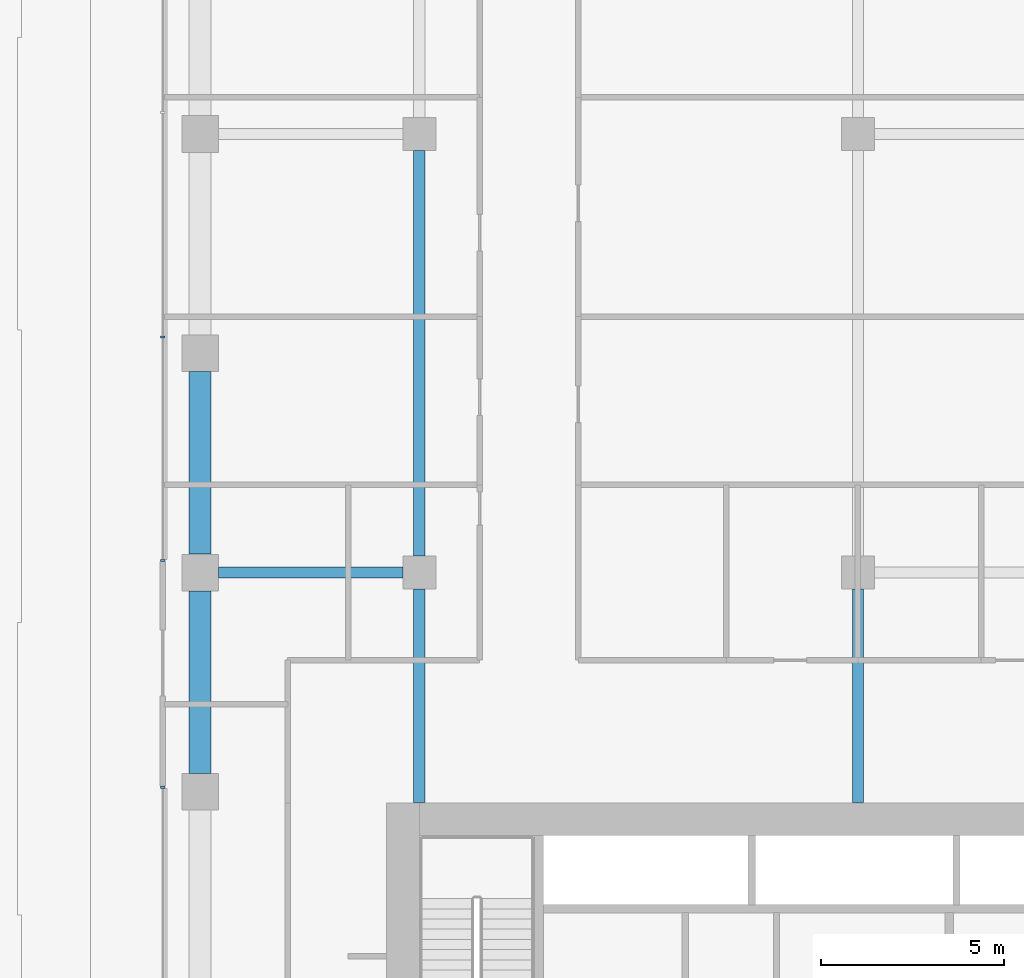
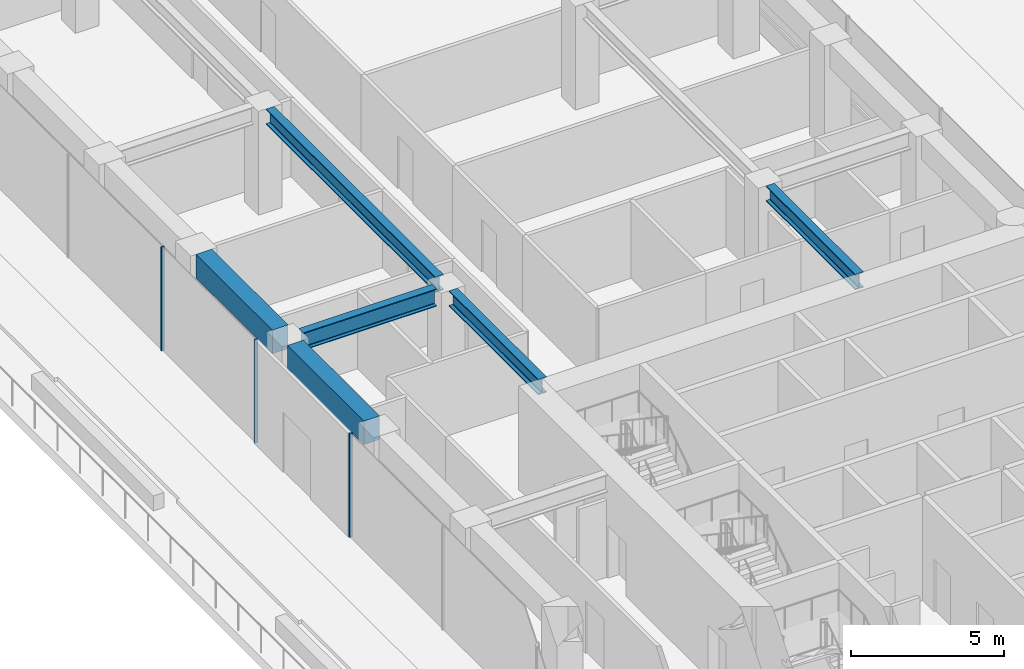
# One storey, part 11 of 31: 6 beams, 3 members, 2 elements without a shape of their own.
"""IFC4 building model written with IfcOpenShell, lengths in metres."""

import ifcopenshell
import ifcopenshell.guid

model = None  # the IFC model being written
_history = None  # IfcOwnerHistory: only IFC2X3 demands one
_inside = {}  # id of a spatial element -> (the spatial element, [elements in it])
_under = {}  # id of a project, library or spatial element -> (it, [spatial elements below it])
_declared = {}  # id of a project -> (the project, [libraries it declares])
_typed = {}  # id of a type object -> (the type object, [elements of that type])
_made_of = {}  # id of a material, layer set ... -> (it, [elements and type objects made of it])


def new_model(schema):
    """Start an empty IFC model of exactly this schema.

    Asked for "IFC4X3", IfcOpenShell would pick the latest addendum, in which some entities
    have other attributes; the version numbers below select the first issue.
    IFC2X3 requires an IfcOwnerHistory on every rooted entity: one is made here for all.
    """
    global model, _history
    if schema == "IFC4X3":
        model = ifcopenshell.file(schema_version=(4, 3, 0, 0))
    else:
        model = ifcopenshell.file(schema=schema)
    _inside.clear()
    _under.clear()
    _declared.clear()
    _typed.clear()
    _made_of.clear()
    _history = None
    if model.schema == "IFC2X3":
        org = make("IfcOrganization", Name="unknown")
        user = make(
            "IfcPersonAndOrganization",
            ThePerson=make("IfcPerson", FamilyName="unknown"),
            TheOrganization=org,
        )
        app = make(
            "IfcApplication",
            ApplicationDeveloper=org,
            Version="unknown",
            ApplicationFullName="unknown",
            ApplicationIdentifier="unknown",
        )
        _history = make(
            "IfcOwnerHistory",
            OwningUser=user,
            OwningApplication=app,
            ChangeAction="ADDED",
            CreationDate=0,
        )
    return model


def make(cls, **values):
    """One entity of the class cls with the attributes given. An attribute that is None is left unset."""
    return model.create_entity(
        cls, **{name: value for name, value in values.items() if value is not None}
    )


def rooted(cls, **values):
    """An entity with a GlobalId (a new one), such as an element, a storey or a relation."""
    return make(cls, GlobalId=ifcopenshell.guid.new(), OwnerHistory=_history, **values)


def si_unit(unit_type, name, prefix=None):
    """IfcSIUnit, for example si_unit("LENGTHUNIT", "METRE", prefix="MILLI")."""
    return make("IfcSIUnit", UnitType=unit_type, Prefix=prefix, Name=name)


def assignment(units):
    """IfcUnitAssignment: the units of a project."""
    return None if units is None else make("IfcUnitAssignment", Units=units)


def point(xyz):
    """IfcCartesianPoint."""
    return None if xyz is None else make("IfcCartesianPoint", Coordinates=xyz)


def direction(xyz):
    """IfcDirection."""
    return None if xyz is None else make("IfcDirection", DirectionRatios=xyz)


def frame(location, z_axis=None, x_axis=None):
    """IfcAxis2Placement3D, a coordinate frame: its origin and axes. An axis left out is left unset."""
    return make(
        "IfcAxis2Placement3D",
        Location=point(location),
        Axis=direction(z_axis),
        RefDirection=direction(x_axis),
    )


def frame_2d(location, x_axis=None):
    """IfcAxis2Placement2D, a coordinate frame in the plane: its origin and x axis."""
    return make(
        "IfcAxis2Placement2D", Location=point(location), RefDirection=direction(x_axis)
    )


def origin():
    """The frame at (0, 0, 0) with its axes left unset."""
    return frame((0.0, 0.0, 0.0))


def origin_2d():
    """The frame at (0, 0) in the plane with its x axis left unset."""
    return frame_2d((0.0, 0.0))


def place(relative_to, where):
    """IfcLocalPlacement: puts the frame where relative to a parent placement (None: the world)."""
    return make(
        "IfcLocalPlacement", PlacementRelTo=relative_to, RelativePlacement=where
    )


def context(
    kind, dimensions, precision=None, world=None, true_north=None, identifier=None
):
    """IfcGeometricRepresentationContext, for example the 3D "Model" context."""
    return make(
        "IfcGeometricRepresentationContext",
        ContextIdentifier=identifier,
        ContextType=kind,
        CoordinateSpaceDimension=dimensions,
        Precision=precision,
        WorldCoordinateSystem=world,
        TrueNorth=true_north,
    )


def subcontext(parent, identifier, kind, view, scale=None):
    """IfcGeometricRepresentationSubContext, for example "Body" below "Model"."""
    return make(
        "IfcGeometricRepresentationSubContext",
        ContextIdentifier=identifier,
        ContextType=kind,
        ParentContext=parent,
        TargetScale=scale,
        TargetView=view,
    )


def project(units=None, contexts=None):
    """IfcProject with its units and contexts."""
    return rooted(
        "IfcProject",
        Name="project",
        RepresentationContexts=contexts,
        UnitsInContext=assignment(units),
    )


def spatial(cls, under=None, at=None, **own):
    """A site, building, storey or space (cls), placed at a placement, below another one or the project."""
    s = rooted(cls, ObjectPlacement=at, **own)
    if under is not None:
        _under.setdefault(under.id(), (under, []))[1].append(s)
    return s


def profile(cls, at=None, kind="AREA", **sizes):
    """A parametric profile (cls). Its sizes go by their IFC names, for example OverallWidth=200.0."""
    return make(cls, ProfileType=kind, Position=at, **sizes)


def rectangle(**sizes):
    """IfcRectangleProfileDef."""
    return profile("IfcRectangleProfileDef", **sizes)


def i_section(**sizes):
    """IfcIShapeProfileDef."""
    return profile("IfcIShapeProfileDef", **sizes)


def extrude(swept, where, along, depth):
    """IfcExtrudedAreaSolid: the profile swept, set in the frame where, extruded along a direction by depth."""
    return make(
        "IfcExtrudedAreaSolid",
        SweptArea=swept,
        Position=where,
        ExtrudedDirection=direction(along),
        Depth=depth,
    )


def shape(context_of_items, identifier, shape_type, items):
    """IfcShapeRepresentation: the items that make up one representation, for example the "Body"."""
    return make(
        "IfcShapeRepresentation",
        ContextOfItems=context_of_items,
        RepresentationIdentifier=identifier,
        RepresentationType=shape_type,
        Items=items,
    )


def material(Name=None, Category=None):
    """IfcMaterial."""
    return make("IfcMaterial", Name=Name, Category=Category)


def layer(
    of_material, thickness, ventilated=None, Name=None, Category=None, Priority=None
):
    """IfcMaterialLayer: one layer of a wall or slab, of a material (None: an air gap)."""
    return make(
        "IfcMaterialLayer",
        Material=of_material,
        LayerThickness=thickness,
        IsVentilated=ventilated,
        Name=Name,
        Category=Category,
        Priority=Priority,
    )


def layer_set(layers, Name=None):
    """IfcMaterialLayerSet."""
    return make("IfcMaterialLayerSet", MaterialLayers=layers, LayerSetName=Name)


def material_profile(
    of_material, cross_section, Name=None, Category=None, Priority=None
):
    """IfcMaterialProfile: a cross section and its material."""
    return make(
        "IfcMaterialProfile",
        Name=Name,
        Material=of_material,
        Profile=cross_section,
        Priority=Priority,
        Category=Category,
    )


def profile_set(profiles, Name=None, composite=None):
    """IfcMaterialProfileSet."""
    return make(
        "IfcMaterialProfileSet",
        Name=Name,
        MaterialProfiles=profiles,
        CompositeProfile=composite,
    )


def made_of(thing, what):
    """Note that an element or type object is made of a material, layer set ...; save() writes the relation."""
    if what is not None:
        _made_of.setdefault(what.id(), (what, []))[1].append(thing)
    return thing


def type_object(cls, material=None, **own):
    """A type object (cls), such as IfcWallType, which elements share."""
    return made_of(rooted(cls, **own), material)


def element(
    cls,
    number,
    at=None,
    inside=None,
    cuts=None,
    type_object=None,
    material=None,
    context=None,
    identifier="Body",
    shape_type=None,
    held_by="IfcProductDefinitionShape",
    body=None,
    shapes=None,
    **own,
):
    """One element of the class cls, such as IfcWall. Its Tag is "e" and its number.

    at: its placement. inside: the storey or other place that contains it. cuts: it is an
    opening in that element (IfcRelVoidsElement). A single representation is given by context,
    identifier, shape_type and body (its items); several are given by shapes. held_by: the class
    of the entity that holds the representations. save() writes the other relations.
    """
    e = rooted(cls, Tag="e%d" % number, ObjectPlacement=at, **own)
    if body is not None:
        shapes = [shape(context, identifier, shape_type, body)]
    if shapes is not None:
        e.Representation = make(held_by, Representations=shapes)
    if inside is not None:
        _inside.setdefault(inside.id(), (inside, []))[1].append(e)
    if cuts is not None:
        rooted(
            "IfcRelVoidsElement", RelatingBuildingElement=cuts, RelatedOpeningElement=e
        )
    if type_object is not None:
        _typed.setdefault(type_object.id(), (type_object, []))[1].append(e)
    return made_of(e, material)


def aggregate(whole, parts):
    """IfcRelAggregates: a whole, such as a stair, and the parts it consists of."""
    return rooted("IfcRelAggregates", RelatingObject=whole, RelatedObjects=parts)


def save(model, path):
    """Write the relations noted so far, then the file.

    IfcRelAggregates (storeys below a building ...), IfcRelContainedInSpatialStructure (elements
    in a storey), IfcRelDefinesByType, IfcRelAssociatesMaterial and IfcRelDeclares: one each for
    every whole, place, type object, material and project.
    """
    for whole, parts in _under.values():
        aggregate(whole, parts)
    for where, things in _inside.values():
        rooted(
            "IfcRelContainedInSpatialStructure",
            RelatedElements=things,
            RelatingStructure=where,
        )
    for kind, things in _typed.values():
        rooted("IfcRelDefinesByType", RelatedObjects=things, RelatingType=kind)
    for what, things in _made_of.values():
        rooted("IfcRelAssociatesMaterial", RelatedObjects=things, RelatingMaterial=what)
    for by, libraries in _declared.values():
        rooted("IfcRelDeclares", RelatingContext=by, RelatedDefinitions=libraries)
    model.write(path)


model = new_model("IFC4")

# Units and contexts
model_context = context("Model", 3, precision=1e-05, world=origin(), true_north=direction((0.0, 1.0)))
body_context = subcontext(model_context, "Body", "Model", "MODEL_VIEW")
ifc_project = project(units=[si_unit("LENGTHUNIT", "METRE"), si_unit("AREAUNIT", "SQUARE_METRE"), si_unit("VOLUMEUNIT", "CUBIC_METRE"), si_unit("PLANEANGLEUNIT", "RADIAN"), si_unit("MASSUNIT", "GRAM", prefix="KILO")], contexts=[model_context])

# Site, building, storey
site_placement = place(None, origin())
site = spatial("IfcSite", under=ifc_project, at=site_placement, CompositionType="ELEMENT")
building_placement = place(site_placement, origin())
building = spatial("IfcBuilding", under=site, at=building_placement, Name="Welwitschia Terrace Campus", CompositionType="ELEMENT")
storey_placement = place(building_placement, frame((0.0, 0.0, 11.0)))
storey = spatial("IfcBuildingStorey", under=building, at=storey_placement, Name="L02", CompositionType="ELEMENT", Elevation=11.0)

# Beams
ifc_material_1 = material(Name="Steel S355", Category="steel")
ifc_material_profile_1 = material_profile(ifc_material_1, i_section(OverallWidth=0.304931640625, OverallDepth=0.6201171875, WebThickness=0.02099609375, FlangeThickness=0.0400390625, FilletRadius=0.027099609375, at=origin_2d()))
ifc_profile_set_1 = profile_set([ifc_material_profile_1], Name="Steel S355")
beam_type_1 = type_object("IfcBeamType", Name="Interior girder HE 600 M", PredefinedType="BEAM", material=ifc_profile_set_1)
beam_1_placement = place(storey_placement, frame((6.0, 25.700927734375, 3.840087890625), z_axis=(0.0, 1.0, 0.0), x_axis=(-1.0, 0.0, 0.0)))
element("IfcBeam", 1, at=beam_1_placement, inside=storey, type_object=beam_type_1, Name="Girder GB1", PredefinedType="BEAM", context=body_context, shape_type="SweptSolid", body=[
    extrude(i_section(OverallWidth=0.304931640625, OverallDepth=0.6201171875, WebThickness=0.02099609375, FlangeThickness=0.0400390625, FilletRadius=0.027099609375, at=origin_2d()), origin(), (0.0, 0.0, 1.0), 5.8486328125),
])
beam_2_placement = place(storey_placement, frame((6.0, 32.450439453125, 3.840087890625), z_axis=(0.0, 1.0, 0.0), x_axis=(-1.0, 0.0, 0.0)))
element("IfcBeam", 2, at=beam_2_placement, inside=storey, type_object=beam_type_1, Name="Girder GB1", PredefinedType="BEAM", context=body_context, shape_type="SweptSolid", body=[
    extrude(i_section(OverallWidth=0.304931640625, OverallDepth=0.6201171875, WebThickness=0.02099609375, FlangeThickness=0.0400390625, FilletRadius=0.027099609375, at=origin_2d()), origin(), (0.0, 0.0, 1.0), 11.09912109375),
])
beam_3_placement = place(storey_placement, frame((18.0, 25.700927734375, 3.840087890625), z_axis=(0.0, 1.0, 0.0), x_axis=(-1.0, 0.0, 0.0)))
element("IfcBeam", 3, at=beam_3_placement, inside=storey, type_object=beam_type_1, Name="Girder GB1", PredefinedType="BEAM", context=body_context, shape_type="SweptSolid", body=[
    extrude(i_section(OverallWidth=0.304931640625, OverallDepth=0.6201171875, WebThickness=0.02099609375, FlangeThickness=0.0400390625, FilletRadius=0.027099609375, at=origin_2d()), origin(), (0.0, 0.0, 1.0), 5.8486328125),
])

# Curtain wall, members
ifc_material_2 = material(Name="Bronze anodised aluminium", Category="aluminium")
ifc_layer = layer(ifc_material_2, 0.1201171875)
ifc_layer_set = layer_set([ifc_layer], Name="Bronze anodised aluminium")
curtain_wall_type = type_object("IfcCurtainWallType", Name="Curtain wall CW2 tower 6000", PredefinedType="NOTDEFINED", material=ifc_layer_set)
curtain_wall_1_placement = place(storey_placement, origin())
curtain_wall_1 = element("IfcCurtainWall", 4, at=curtain_wall_1_placement, inside=storey, type_object=curtain_wall_type, Name="CW L02.9.0", PredefinedType="NOTDEFINED")
ifc_material_3 = material(Name="Bronze anodised aluminium", Category="aluminium")
ifc_material_profile_2 = material_profile(ifc_material_3, rectangle(XDim=0.1201171875, YDim=0.06005859375, at=origin_2d()))
ifc_profile_set_2 = profile_set([ifc_material_profile_2], Name="Bronze anodised aluminium")
member_type = type_object("IfcMemberType", Name="Mullion 60x120", PredefinedType="MULLION", material=ifc_profile_set_2)
member_1_placement = place(storey_placement, frame((-1.02001953125, 38.443115234375, 0.0), z_axis=(0.0, 0.0, 1.0), x_axis=(1.0, 0.0, 0.0)))
member_1 = element("IfcMember", 5, at=member_1_placement, type_object=member_type, Name="Mullion L02.9.0.4", PredefinedType="MULLION", context=body_context, shape_type="SweptSolid", body=[
    extrude(rectangle(XDim=0.1201171875, YDim=0.06005859375, at=origin_2d()), origin(), (0.0, 0.0, 1.0), 4.14990234375),
])
member_2_placement = place(storey_placement, frame((-1.02001953125, 32.328857421875, 0.0), z_axis=(0.0, 0.0, 1.0), x_axis=(1.0, 0.0, 0.0)))
member_2 = element("IfcMember", 6, at=member_2_placement, type_object=member_type, Name="Mullion L02.9.0.5", PredefinedType="MULLION", context=body_context, shape_type="SweptSolid", body=[
    extrude(rectangle(XDim=0.1201171875, YDim=0.06005859375, at=origin_2d()), origin(), (0.0, 0.0, 1.0), 4.14990234375),
])
aggregate(curtain_wall_1, [member_1, member_2])

# Curtain wall, member
curtain_wall_2_placement = place(storey_placement, origin())
curtain_wall_2 = element("IfcCurtainWall", 7, at=curtain_wall_2_placement, inside=storey, type_object=curtain_wall_type, Name="CW L02.9.6", PredefinedType="NOTDEFINED")
member_3_placement = place(storey_placement, frame((-1.02001953125, 26.12451171875, 0.0), z_axis=(0.0, 0.0, 1.0), x_axis=(1.0, 0.0, 0.0)))
member_3 = element("IfcMember", 8, at=member_3_placement, type_object=member_type, Name="Mullion L02.9.6.0", PredefinedType="MULLION", context=body_context, shape_type="SweptSolid", body=[
    extrude(rectangle(XDim=0.1201171875, YDim=0.06005859375, at=origin_2d()), origin(), (0.0, 0.0, 1.0), 4.14990234375),
])
aggregate(curtain_wall_2, [member_3])

# Beams
ifc_material_4 = material(Name="Steel S355", Category="steel")
ifc_material_profile_3 = material_profile(ifc_material_4, i_section(OverallWidth=0.300048828125, OverallDepth=0.699951171875, WebThickness=0.01708984375, FlangeThickness=0.031982421875, FilletRadius=0.027099609375, at=origin_2d()))
ifc_profile_set_3 = profile_set([ifc_material_profile_3], Name="Steel S355")
beam_type_2 = type_object("IfcBeamType", Name="Primary beam HE 700 B", PredefinedType="BEAM", material=ifc_profile_set_3)
beam_4_placement = place(storey_placement, frame((0.50048828125, 32.0, 3.800048828125), z_axis=(1.0, 0.0, 0.0), x_axis=(0.0, 1.0, 0.0)))
element("IfcBeam", 9, at=beam_4_placement, inside=storey, type_object=beam_type_2, Name="Primary beam PB1", PredefinedType="BEAM", context=body_context, shape_type="SweptSolid", body=[
    extrude(i_section(OverallWidth=0.300048828125, OverallDepth=0.699951171875, WebThickness=0.01708984375, FlangeThickness=0.031982421875, FilletRadius=0.027099609375, at=origin_2d()), origin(), (0.0, 0.0, 1.0), 5.049072265625),
])
ifc_material_5 = material(Name="Concrete C60/75", Category="concrete")
ifc_material_profile_4 = material_profile(ifc_material_5, rectangle(XDim=0.60009765625, YDim=0.949951171875, at=origin_2d()))
ifc_profile_set_4 = profile_set([ifc_material_profile_4], Name="Concrete C60/75")
beam_type_3 = type_object("IfcBeamType", Name="Ring spandrel 600x950", PredefinedType="SPANDREL", material=ifc_profile_set_4)
for number, where, z_axis, x_axis, name in (
    (10, (0.0, 37.49951171875, 3.675048828125), (0.0, -1.0, 0.0), (1.0, 0.0, 0.0), "Spandrel SP1"),
    (11, (0.0, 31.49951171875, 3.675048828125), (0.0, -1.0, 0.0), (1.0, 0.0, 0.0), "Spandrel SP1"),
):
    element("IfcBeam", number, at=place(storey_placement, frame(where, z_axis=z_axis, x_axis=x_axis)), inside=storey, type_object=beam_type_3, Name=name, PredefinedType="SPANDREL", context=body_context, shape_type="SweptSolid", body=[
        extrude(rectangle(XDim=0.60009765625, YDim=0.949951171875, at=origin_2d()), origin(), (0.0, 0.0, 1.0), 4.9990234375),
    ])

save(model, "model.ifc")
